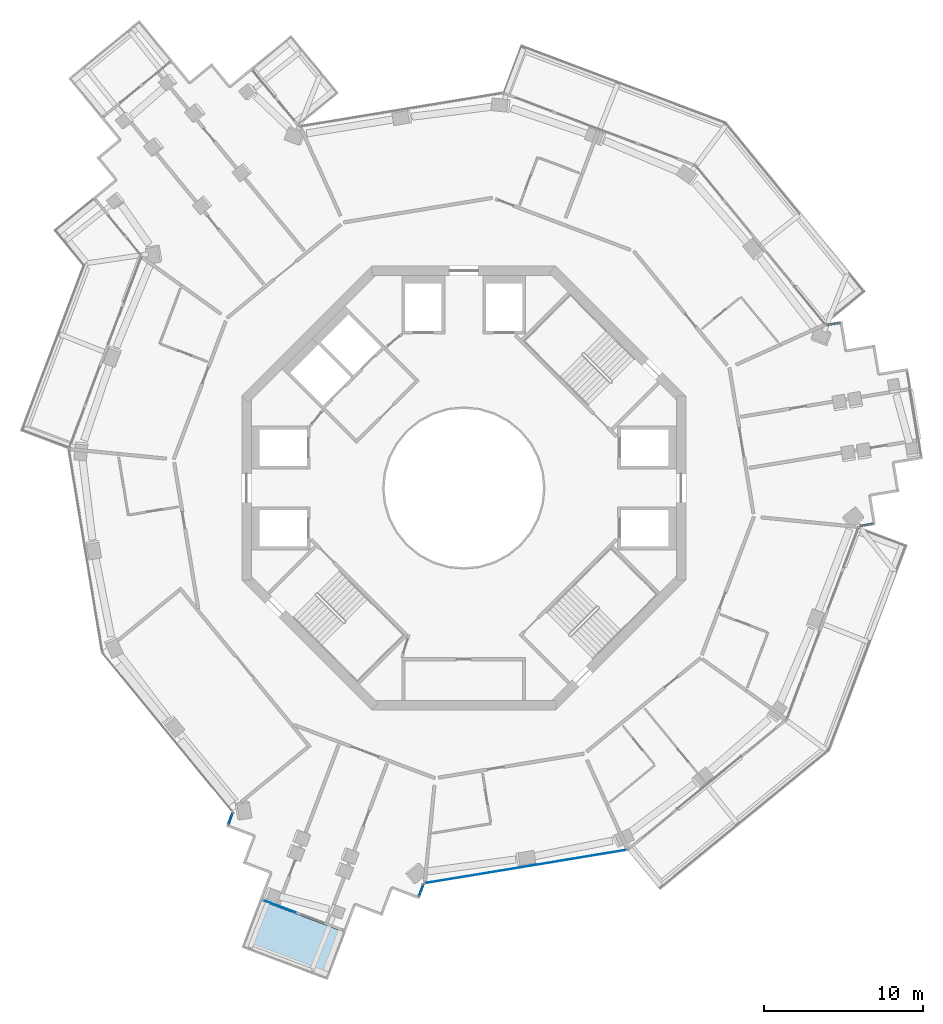
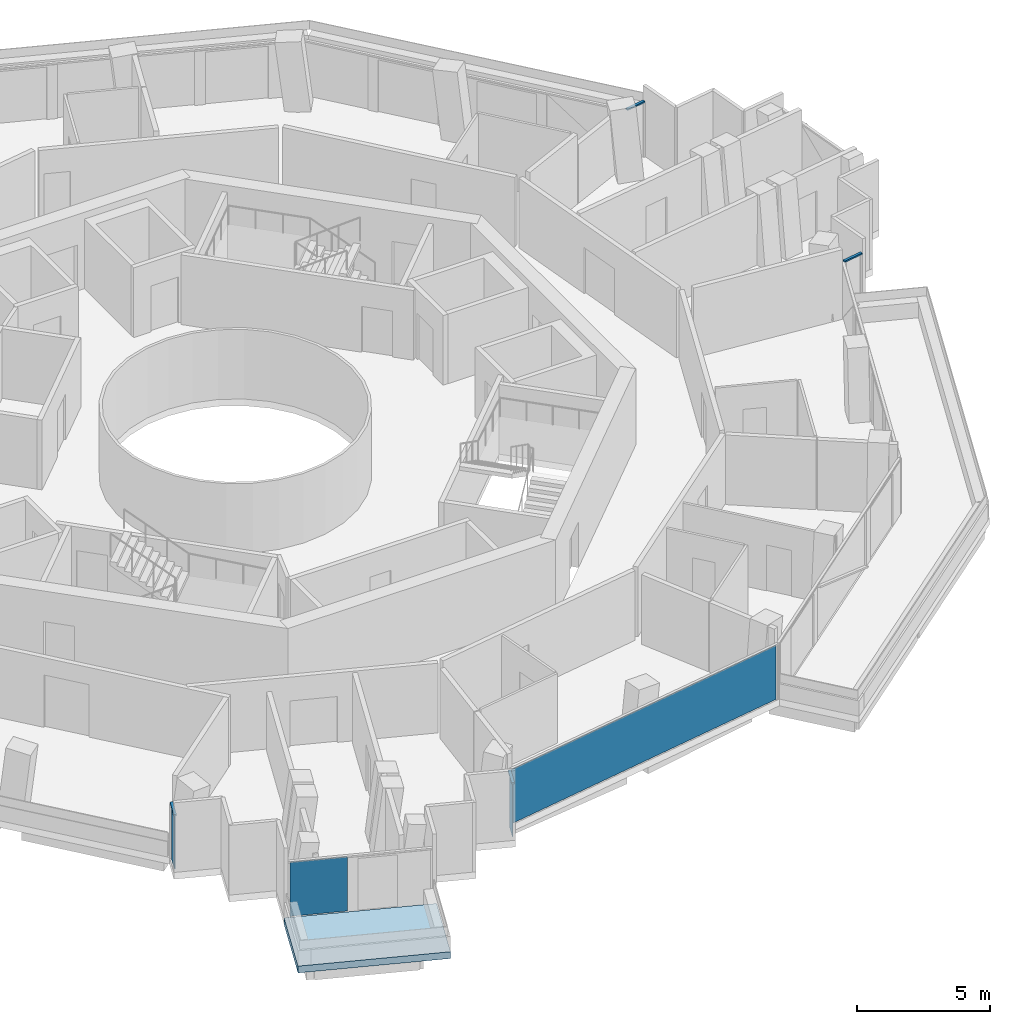
# One storey, part 10 of 21: 4 members, 4 plates, 1 slab, 6 elements without a shape of their own.
"""IFC4 building model written with IfcOpenShell, lengths in metres."""

from ifc_helpers import new_model, si_unit, direction, frame, origin, origin_2d, place, context, subcontext, project, spatial, polyline, rectangle, outline, extrude, material, layer, layer_set, material_profile, profile_set, type_object, element, aggregate, save


model = new_model("IFC4")

# Units and contexts
model_context = context("Model", 3, precision=1e-05, world=origin(), true_north=direction((0.0, 1.0)))
body_context = subcontext(model_context, "Body", "Model", "MODEL_VIEW")
ifc_project = project(units=[si_unit("LENGTHUNIT", "METRE"), si_unit("AREAUNIT", "SQUARE_METRE"), si_unit("VOLUMEUNIT", "CUBIC_METRE"), si_unit("PLANEANGLEUNIT", "RADIAN"), si_unit("MASSUNIT", "GRAM", prefix="KILO")], contexts=[model_context])

# Site, building, storey
site_placement = place(None, origin())
site = spatial("IfcSite", under=ifc_project, at=site_placement, CompositionType="ELEMENT")
building_placement = place(site_placement, origin())
building = spatial("IfcBuilding", under=site, at=building_placement, Name="Verdalira Terraces Hotel", CompositionType="ELEMENT")
storey_placement = place(building_placement, frame((0.0, 0.0, 194.0)))
storey = spatial("IfcBuildingStorey", under=building, at=storey_placement, Name="L47", CompositionType="ELEMENT", Elevation=194.0)

# Curtain wall, member
ifc_material_1 = material(Name="Clear glass", Category="glass")
ifc_layer_1 = layer(ifc_material_1, 0.14990234375)
ifc_layer_set_1 = layer_set([ifc_layer_1], Name="CW2 curtain wall")
curtain_wall_type_1 = type_object("IfcCurtainWallType", Name="CW2 curtain wall", PredefinedType="NOTDEFINED", material=ifc_layer_set_1)
curtain_wall_1_placement = place(storey_placement, origin())
curtain_wall_1 = element("IfcCurtainWall", 1, at=curtain_wall_1_placement, inside=storey, type_object=curtain_wall_type_1, Name="CW2 curtain wall L47 edge 14", PredefinedType="NOTDEFINED")
ifc_material_2 = material(Name="Terracotta frame", Category="masonry")
ifc_material_profile = material_profile(ifc_material_2, rectangle(XDim=0.11499, YDim=0.064941, at=origin_2d()), Name="TR 65x115")
ifc_profile_set = profile_set([ifc_material_profile], Name="Terracotta frame")
member_type = type_object("IfcMemberType", Name="CW2 transom 65x115", PredefinedType="USERDEFINED", material=ifc_profile_set)
member_1_placement = place(storey_placement, frame((-14.563477, -20.436523, 2.507568), z_axis=(-0.352696712, -0.935737693, 0.0), x_axis=(0.935737693, -0.352696712, 0.0)))
member_1 = element("IfcMember", 2, at=member_1_placement, type_object=member_type, Name="CW2 transom", ObjectType="TRANSOM", PredefinedType="USERDEFINED", context=body_context, shape_type="SweptSolid", body=[
    extrude(rectangle(XDim=0.11499, YDim=0.064941, at=origin_2d()), origin(), (0.0, 0.0, 1.0), 0.850098),
])

curtain_wall_2_placement = place(storey_placement, origin())
curtain_wall_2 = element("IfcCurtainWall", 3, at=curtain_wall_2_placement, inside=storey, type_object=curtain_wall_type_1, Name="CW2 curtain wall L47 edge 24", PredefinedType="NOTDEFINED")
member_2_placement = place(storey_placement, frame((-2.837891, -25.761475, 2.507568), z_axis=(0.352445189, 0.935832458, 0.0), x_axis=(-0.935832458, 0.352445189, 0.0)))
member_2 = element("IfcMember", 4, at=member_2_placement, type_object=member_type, Name="CW2 transom", ObjectType="TRANSOM", PredefinedType="USERDEFINED", context=body_context, shape_type="SweptSolid", body=[
    extrude(rectangle(XDim=0.11499, YDim=0.064941, at=origin_2d()), origin(), (0.0, 0.0, 1.0), 0.849854),
])

curtain_wall_3_placement = place(storey_placement, origin())
curtain_wall_3 = element("IfcCurtainWall", 5, at=curtain_wall_3_placement, inside=storey, type_object=curtain_wall_type_1, Name="CW2 curtain wall L47 edge 28", PredefinedType="NOTDEFINED")
member_3_placement = place(storey_placement, frame((24.980225, -2.394043, 2.507568), z_axis=(0.986702615, 0.162535995, 0.0), x_axis=(-0.162535995, 0.986702615, 0.0)))
member_3 = element("IfcMember", 6, at=member_3_placement, type_object=member_type, Name="CW2 transom", ObjectType="TRANSOM", PredefinedType="USERDEFINED", context=body_context, shape_type="SweptSolid", body=[
    extrude(rectangle(XDim=0.11499, YDim=0.064941, at=origin_2d()), origin(), (0.0, 0.0, 1.0), 0.850098),
])
aggregate(curtain_wall_3, [member_3])

curtain_wall_4_placement = place(storey_placement, origin())
curtain_wall_4 = element("IfcCurtainWall", 7, at=curtain_wall_4_placement, inside=storey, type_object=curtain_wall_type_1, Name="CW2 curtain wall L47 edge 38", PredefinedType="NOTDEFINED")
member_4_placement = place(storey_placement, frame((23.729004, 10.423096, 2.507568), z_axis=(-0.986648908, -0.162861697, 0.0), x_axis=(0.162861697, -0.986648908, 0.0)))
member_4 = element("IfcMember", 8, at=member_4_placement, type_object=member_type, Name="CW2 transom", ObjectType="TRANSOM", PredefinedType="USERDEFINED", context=body_context, shape_type="SweptSolid", body=[
    extrude(rectangle(XDim=0.11499, YDim=0.064941, at=origin_2d()), origin(), (0.0, 0.0, 1.0), 0.849854),
])
aggregate(curtain_wall_4, [member_4])

# Slab
ifc_material_3 = material(Name="Precast concrete C40/50", Category="concrete")
ifc_layer_2 = layer(ifc_material_3, 0.31005859375)
ifc_layer_set_2 = layer_set([ifc_layer_2], Name="Balcony deck 310")
slab_type = type_object("IfcSlabType", Name="Balcony deck 310", PredefinedType="FLOOR", material=ifc_layer_set_2)
slab_placement = place(storey_placement, frame((0.0, 0.0, -0.310059)))
element("IfcSlab", 9, at=slab_placement, inside=storey, type_object=slab_type, Name="Balcony deck", PredefinedType="FLOOR", context=body_context, shape_type="SweptSolid", body=[
    extrude(outline(polyline([(-8.586426, -31.022949), (-7.458496, -28.02832), (-12.88623, -25.983887), (-14.01416, -28.978271), (-8.586426, -31.022949)])), origin(), (0.0, 0.0, 1.0), 0.310059),
])

# Curtain wall, plate
ifc_material_4 = material(Name="Clear glass", Category="glass")
ifc_layer_3 = layer(ifc_material_4, 0.14990234375)
ifc_layer_set_3 = layer_set([ifc_layer_3], Name="CW1 curtain wall")
curtain_wall_type_2 = type_object("IfcCurtainWallType", Name="CW1 curtain wall", PredefinedType="NOTDEFINED", material=ifc_layer_set_3)
curtain_wall_5_placement = place(storey_placement, origin())
curtain_wall_5 = element("IfcCurtainWall", 10, at=curtain_wall_5_placement, inside=storey, type_object=curtain_wall_type_2, Name="CW1 curtain wall L47 edge 25", PredefinedType="NOTDEFINED")
ifc_material_5 = material(Name="Clear glass", Category="glass")
ifc_layer_4 = layer(ifc_material_5, 0.028076171875)
ifc_layer_set_4 = layer_set([ifc_layer_4], Name="CW1 glass unit 28")
plate_type_1 = type_object("IfcPlateType", Name="CW1 glass unit 28", PredefinedType="CURTAIN_PANEL", material=ifc_layer_set_4)
plate_1_placement = place(storey_placement, frame((3.91333, -23.864502, 0.0), z_axis=(0.0, 0.0, 1.0), x_axis=(0.986685944, 0.162637165, 0.0)))
plate_1 = element("IfcPlate", 11, at=plate_1_placement, type_object=plate_type_1, Name="CW1 glass unit", PredefinedType="CURTAIN_PANEL", context=body_context, shape_type="SweptSolid", body=[
    extrude(rectangle(XDim=12.839844, YDim=0.028076, at=origin_2d()), origin(), (0.0, 0.0, 1.0), 2.475098),
])
aggregate(curtain_wall_5, [plate_1])

# Plate
ifc_material_6 = material(Name="Clear glass", Category="glass")
ifc_layer_5 = layer(ifc_material_6, 0.031982421875)
ifc_layer_set_5 = layer_set([ifc_layer_5], Name="CW2 glass unit 32")
plate_type_2 = type_object("IfcPlateType", Name="CW2 glass unit 32", PredefinedType="CURTAIN_PANEL", material=ifc_layer_set_5)
plate_2_placement = place(storey_placement, frame((-14.713379, -20.834229, 0.0), z_axis=(0.0, 0.0, 1.0), x_axis=(-0.352495055, -0.935813676, 0.0)))
plate_2 = element("IfcPlate", 12, at=plate_2_placement, type_object=plate_type_2, Name="CW2 glass unit", PredefinedType="CURTAIN_PANEL", context=body_context, shape_type="SweptSolid", body=[
    extrude(rectangle(XDim=0.709961, YDim=0.031982, at=origin_2d()), origin(), (0.0, 0.0, 1.0), 2.475098),
])

aggregate(curtain_wall_1, [member_1, plate_2])

plate_3_placement = place(storey_placement, frame((-2.688232, -25.36377, 0.0), z_axis=(0.0, 0.0, 1.0), x_axis=(0.352495055, 0.935813676, 0.0)))
plate_3 = element("IfcPlate", 13, at=plate_3_placement, type_object=plate_type_2, Name="CW2 glass unit", PredefinedType="CURTAIN_PANEL", context=body_context, shape_type="SweptSolid", body=[
    extrude(rectangle(XDim=0.709961, YDim=0.031982, at=origin_2d()), origin(), (0.0, 0.0, 1.0), 2.475098),
])

aggregate(curtain_wall_2, [member_2, plate_3])

# Curtain wall, plate
ifc_material_7 = material(Name="Clear glass", Category="glass")
ifc_layer_6 = layer(ifc_material_7, 0.14990234375)
ifc_layer_set_6 = layer_set([ifc_layer_6], Name="CW3 curtain wall")
curtain_wall_type_3 = type_object("IfcCurtainWallType", Name="CW3 curtain wall", PredefinedType="NOTDEFINED", material=ifc_layer_set_6)
curtain_wall_6_placement = place(storey_placement, origin())
curtain_wall_6 = element("IfcCurtainWall", 14, at=curtain_wall_6_placement, inside=storey, type_object=curtain_wall_type_3, Name="CW3 curtain wall L47 edge 19", PredefinedType="NOTDEFINED")
ifc_material_8 = material(Name="Clear glass", Category="glass")
ifc_layer_7 = layer(ifc_material_8, 0.035888671875)
ifc_layer_set_7 = layer_set([ifc_layer_7], Name="CW3 glass unit 36")
plate_type_3 = type_object("IfcPlateType", Name="CW3 glass unit 36", PredefinedType="CURTAIN_PANEL", material=ifc_layer_set_7)
plate_4_placement = place(storey_placement, frame((-11.624512, -26.378906, 0.0), z_axis=(0.0, 0.0, 1.0), x_axis=(0.935813676, -0.352495055, 0.0)))
plate_4 = element("IfcPlate", 15, at=plate_4_placement, type_object=plate_type_3, Name="CW3 glass unit", PredefinedType="CURTAIN_PANEL", context=body_context, shape_type="SweptSolid", body=[
    extrude(rectangle(XDim=2.179932, YDim=0.035889, at=origin_2d()), origin(), (0.0, 0.0, 1.0), 2.475098),
])
aggregate(curtain_wall_6, [plate_4])

save(model, "model.ifc")
